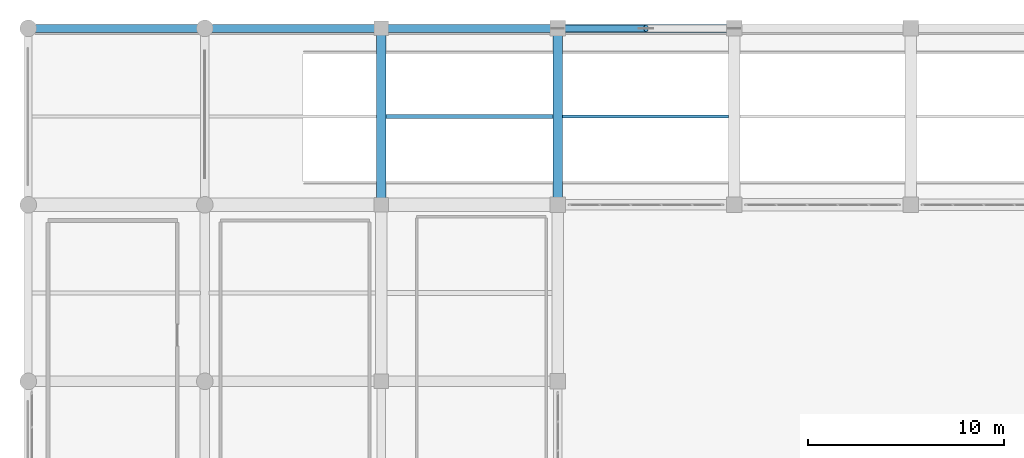
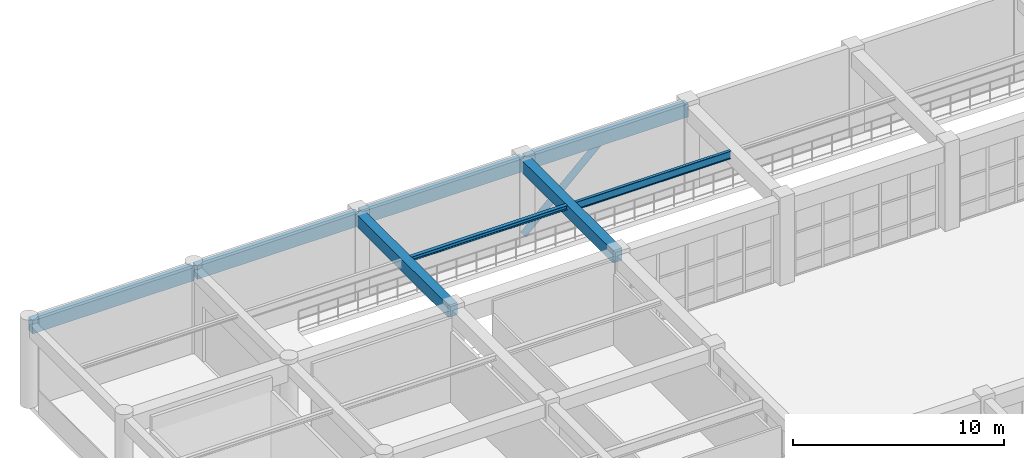
# One storey, part 61 of 128: 8 beams, 1 member.
"""IFC4 building model written with IfcOpenShell, lengths in metres."""

import ifcopenshell
import ifcopenshell.guid

model = None  # the IFC model being written
_history = None  # IfcOwnerHistory: only IFC2X3 demands one
_inside = {}  # id of a spatial element -> (the spatial element, [elements in it])
_under = {}  # id of a project, library or spatial element -> (it, [spatial elements below it])
_declared = {}  # id of a project -> (the project, [libraries it declares])
_typed = {}  # id of a type object -> (the type object, [elements of that type])
_made_of = {}  # id of a material, layer set ... -> (it, [elements and type objects made of it])


def new_model(schema):
    """Start an empty IFC model of exactly this schema.

    Asked for "IFC4X3", IfcOpenShell would pick the latest addendum, in which some entities
    have other attributes; the version numbers below select the first issue.
    IFC2X3 requires an IfcOwnerHistory on every rooted entity: one is made here for all.
    """
    global model, _history
    if schema == "IFC4X3":
        model = ifcopenshell.file(schema_version=(4, 3, 0, 0))
    else:
        model = ifcopenshell.file(schema=schema)
    _inside.clear()
    _under.clear()
    _declared.clear()
    _typed.clear()
    _made_of.clear()
    _history = None
    if model.schema == "IFC2X3":
        org = make("IfcOrganization", Name="unknown")
        user = make(
            "IfcPersonAndOrganization",
            ThePerson=make("IfcPerson", FamilyName="unknown"),
            TheOrganization=org,
        )
        app = make(
            "IfcApplication",
            ApplicationDeveloper=org,
            Version="unknown",
            ApplicationFullName="unknown",
            ApplicationIdentifier="unknown",
        )
        _history = make(
            "IfcOwnerHistory",
            OwningUser=user,
            OwningApplication=app,
            ChangeAction="ADDED",
            CreationDate=0,
        )
    return model


def make(cls, **values):
    """One entity of the class cls with the attributes given. An attribute that is None is left unset."""
    return model.create_entity(
        cls, **{name: value for name, value in values.items() if value is not None}
    )


def rooted(cls, **values):
    """An entity with a GlobalId (a new one), such as an element, a storey or a relation."""
    return make(cls, GlobalId=ifcopenshell.guid.new(), OwnerHistory=_history, **values)


def si_unit(unit_type, name, prefix=None):
    """IfcSIUnit, for example si_unit("LENGTHUNIT", "METRE", prefix="MILLI")."""
    return make("IfcSIUnit", UnitType=unit_type, Prefix=prefix, Name=name)


def assignment(units):
    """IfcUnitAssignment: the units of a project."""
    return None if units is None else make("IfcUnitAssignment", Units=units)


def point(xyz):
    """IfcCartesianPoint."""
    return None if xyz is None else make("IfcCartesianPoint", Coordinates=xyz)


def direction(xyz):
    """IfcDirection."""
    return None if xyz is None else make("IfcDirection", DirectionRatios=xyz)


def frame(location, z_axis=None, x_axis=None):
    """IfcAxis2Placement3D, a coordinate frame: its origin and axes. An axis left out is left unset."""
    return make(
        "IfcAxis2Placement3D",
        Location=point(location),
        Axis=direction(z_axis),
        RefDirection=direction(x_axis),
    )


def frame_2d(location, x_axis=None):
    """IfcAxis2Placement2D, a coordinate frame in the plane: its origin and x axis."""
    return make(
        "IfcAxis2Placement2D", Location=point(location), RefDirection=direction(x_axis)
    )


def origin():
    """The frame at (0, 0, 0) with its axes left unset."""
    return frame((0.0, 0.0, 0.0))


def origin_2d():
    """The frame at (0, 0) in the plane with its x axis left unset."""
    return frame_2d((0.0, 0.0))


def place(relative_to, where):
    """IfcLocalPlacement: puts the frame where relative to a parent placement (None: the world)."""
    return make(
        "IfcLocalPlacement", PlacementRelTo=relative_to, RelativePlacement=where
    )


def context(
    kind, dimensions, precision=None, world=None, true_north=None, identifier=None
):
    """IfcGeometricRepresentationContext, for example the 3D "Model" context."""
    return make(
        "IfcGeometricRepresentationContext",
        ContextIdentifier=identifier,
        ContextType=kind,
        CoordinateSpaceDimension=dimensions,
        Precision=precision,
        WorldCoordinateSystem=world,
        TrueNorth=true_north,
    )


def subcontext(parent, identifier, kind, view, scale=None):
    """IfcGeometricRepresentationSubContext, for example "Body" below "Model"."""
    return make(
        "IfcGeometricRepresentationSubContext",
        ContextIdentifier=identifier,
        ContextType=kind,
        ParentContext=parent,
        TargetScale=scale,
        TargetView=view,
    )


def project(units=None, contexts=None):
    """IfcProject with its units and contexts."""
    return rooted(
        "IfcProject",
        Name="project",
        RepresentationContexts=contexts,
        UnitsInContext=assignment(units),
    )


def spatial(cls, under=None, at=None, **own):
    """A site, building, storey or space (cls), placed at a placement, below another one or the project."""
    s = rooted(cls, ObjectPlacement=at, **own)
    if under is not None:
        _under.setdefault(under.id(), (under, []))[1].append(s)
    return s


def profile(cls, at=None, kind="AREA", **sizes):
    """A parametric profile (cls). Its sizes go by their IFC names, for example OverallWidth=200.0."""
    return make(cls, ProfileType=kind, Position=at, **sizes)


def rectangle(**sizes):
    """IfcRectangleProfileDef."""
    return profile("IfcRectangleProfileDef", **sizes)


def hollow_circle(**sizes):
    """IfcCircleHollowProfileDef."""
    return profile("IfcCircleHollowProfileDef", **sizes)


def i_section(**sizes):
    """IfcIShapeProfileDef."""
    return profile("IfcIShapeProfileDef", **sizes)


def extrude(swept, where, along, depth):
    """IfcExtrudedAreaSolid: the profile swept, set in the frame where, extruded along a direction by depth."""
    return make(
        "IfcExtrudedAreaSolid",
        SweptArea=swept,
        Position=where,
        ExtrudedDirection=direction(along),
        Depth=depth,
    )


def shape(context_of_items, identifier, shape_type, items):
    """IfcShapeRepresentation: the items that make up one representation, for example the "Body"."""
    return make(
        "IfcShapeRepresentation",
        ContextOfItems=context_of_items,
        RepresentationIdentifier=identifier,
        RepresentationType=shape_type,
        Items=items,
    )


def material(Name=None, Category=None):
    """IfcMaterial."""
    return make("IfcMaterial", Name=Name, Category=Category)


def material_profile(
    of_material, cross_section, Name=None, Category=None, Priority=None
):
    """IfcMaterialProfile: a cross section and its material."""
    return make(
        "IfcMaterialProfile",
        Name=Name,
        Material=of_material,
        Profile=cross_section,
        Priority=Priority,
        Category=Category,
    )


def profile_set(profiles, Name=None, composite=None):
    """IfcMaterialProfileSet."""
    return make(
        "IfcMaterialProfileSet",
        Name=Name,
        MaterialProfiles=profiles,
        CompositeProfile=composite,
    )


def made_of(thing, what):
    """Note that an element or type object is made of a material, layer set ...; save() writes the relation."""
    if what is not None:
        _made_of.setdefault(what.id(), (what, []))[1].append(thing)
    return thing


def type_object(cls, material=None, **own):
    """A type object (cls), such as IfcWallType, which elements share."""
    return made_of(rooted(cls, **own), material)


def element(
    cls,
    number,
    at=None,
    inside=None,
    cuts=None,
    type_object=None,
    material=None,
    context=None,
    identifier="Body",
    shape_type=None,
    held_by="IfcProductDefinitionShape",
    body=None,
    shapes=None,
    **own,
):
    """One element of the class cls, such as IfcWall. Its Tag is "e" and its number.

    at: its placement. inside: the storey or other place that contains it. cuts: it is an
    opening in that element (IfcRelVoidsElement). A single representation is given by context,
    identifier, shape_type and body (its items); several are given by shapes. held_by: the class
    of the entity that holds the representations. save() writes the other relations.
    """
    e = rooted(cls, Tag="e%d" % number, ObjectPlacement=at, **own)
    if body is not None:
        shapes = [shape(context, identifier, shape_type, body)]
    if shapes is not None:
        e.Representation = make(held_by, Representations=shapes)
    if inside is not None:
        _inside.setdefault(inside.id(), (inside, []))[1].append(e)
    if cuts is not None:
        rooted(
            "IfcRelVoidsElement", RelatingBuildingElement=cuts, RelatedOpeningElement=e
        )
    if type_object is not None:
        _typed.setdefault(type_object.id(), (type_object, []))[1].append(e)
    return made_of(e, material)


def aggregate(whole, parts):
    """IfcRelAggregates: a whole, such as a stair, and the parts it consists of."""
    return rooted("IfcRelAggregates", RelatingObject=whole, RelatedObjects=parts)


def save(model, path):
    """Write the relations noted so far, then the file.

    IfcRelAggregates (storeys below a building ...), IfcRelContainedInSpatialStructure (elements
    in a storey), IfcRelDefinesByType, IfcRelAssociatesMaterial and IfcRelDeclares: one each for
    every whole, place, type object, material and project.
    """
    for whole, parts in _under.values():
        aggregate(whole, parts)
    for where, things in _inside.values():
        rooted(
            "IfcRelContainedInSpatialStructure",
            RelatedElements=things,
            RelatingStructure=where,
        )
    for kind, things in _typed.values():
        rooted("IfcRelDefinesByType", RelatedObjects=things, RelatingType=kind)
    for what, things in _made_of.values():
        rooted("IfcRelAssociatesMaterial", RelatedObjects=things, RelatingMaterial=what)
    for by, libraries in _declared.values():
        rooted("IfcRelDeclares", RelatingContext=by, RelatedDefinitions=libraries)
    model.write(path)


model = new_model("IFC4")

# Units and contexts
model_context = context("Model", 3, precision=1e-05, world=origin(), true_north=direction((0.0, 1.0)))
body_context = subcontext(model_context, "Body", "Model", "MODEL_VIEW")
ifc_project = project(units=[si_unit("LENGTHUNIT", "METRE"), si_unit("AREAUNIT", "SQUARE_METRE"), si_unit("VOLUMEUNIT", "CUBIC_METRE"), si_unit("PLANEANGLEUNIT", "RADIAN"), si_unit("MASSUNIT", "GRAM", prefix="KILO")], contexts=[model_context])

# Site, building, storey
site_placement = place(None, origin())
site = spatial("IfcSite", under=ifc_project, at=site_placement, CompositionType="ELEMENT")
building_placement = place(site_placement, origin())
building = spatial("IfcBuilding", under=site, at=building_placement, Name="Miravela Opera House", CompositionType="ELEMENT")
storey_placement = place(building_placement, origin())
storey = spatial("IfcBuildingStorey", under=building, at=storey_placement, Name="L00", CompositionType="ELEMENT", Elevation=0.0)

# Beams
ifc_material_1 = material(Name="Concrete C35/45", Category="concrete")
ifc_material_profile_1 = material_profile(ifc_material_1, rectangle(XDim=0.5, YDim=0.699951171875, at=origin_2d()), Name="RC-BM-500X700")
ifc_profile_set_1 = profile_set([ifc_material_profile_1])
beam_type_1 = type_object("IfcBeamType", Name="STR-BM-RC500X700", PredefinedType="BEAM", material=ifc_profile_set_1)
for number, where, z_axis, x_axis, name in (
    (1, (18.0, 103.080078125, 4.5), (0.0, 1.0, 0.0), (-1.0, 0.0, 0.0), "Floor Girder L00 3/L-M"),
    (2, (27.0, 103.080078125, 4.5), (0.0, 1.0, 0.0), (-1.0, 0.0, 0.0), "Floor Girder L00 4/L-M"),
):
    element("IfcBeam", number, at=place(storey_placement, frame(where, z_axis=z_axis, x_axis=x_axis)), inside=storey, type_object=beam_type_1, Name=name, PredefinedType="BEAM", context=body_context, shape_type="SweptSolid", body=[
        extrude(rectangle(XDim=0.5, YDim=0.699951171875, at=origin_2d()), origin(), (0.0, 0.0, 1.0), 8.83984375),
    ])
ifc_material_2 = material(Name="Structural steel ASTM A992 Gr. 50", Category="steel")
ifc_material_profile_2 = material_profile(ifc_material_2, i_section(OverallWidth=0.201904296875, OverallDepth=0.2470703125, WebThickness=0.00732421875, FlangeThickness=0.010986328125, FilletRadius=0.011962890625, at=origin_2d()), Name="W250X49")
ifc_profile_set_2 = profile_set([ifc_material_profile_2])
beam_type_2 = type_object("IfcBeamType", Name="STR-BM-W250X49", PredefinedType="LINTEL", material=ifc_profile_set_2)
beam_1_placement = place(storey_placement, frame((18.235107421875, 107.5, 4.7265625), z_axis=(1.0, 0.0, 0.0), x_axis=(0.0, 1.0, 0.0)))
element("IfcBeam", 3, at=beam_1_placement, inside=storey, type_object=beam_type_2, Name="Secondary Floor Joist L00 3-4/L-M", PredefinedType="LINTEL", context=body_context, shape_type="SweptSolid", body=[
    extrude(i_section(OverallWidth=0.201904296875, OverallDepth=0.2470703125, WebThickness=0.00732421875, FlangeThickness=0.010986328125, FilletRadius=0.011962890625, at=origin_2d()), origin(), (0.0, 0.0, 1.0), 8.52978515625),
])
ifc_material_profile_3 = material_profile(ifc_material_2, i_section(OverallWidth=0.154052734375, OverallDepth=0.458984375, WebThickness=0.009033203125, FlangeThickness=0.015380859375, FilletRadius=0.013916015625, at=origin_2d()), Name="W460X68")
ifc_profile_set_3 = profile_set([ifc_material_profile_3])
beam_type_3 = type_object("IfcBeamType", Name="STR-BM-W460X68", PredefinedType="JOIST", material=ifc_profile_set_3)
beam_2_placement = place(storey_placement, frame((27.235107421875, 107.5, 4.62060546875), z_axis=(1.0, 0.0, 0.0), x_axis=(0.0, 1.0, 0.0)))
element("IfcBeam", 4, at=beam_2_placement, inside=storey, type_object=beam_type_3, Name="Secondary Floor Joist L00 4-5/L-M", PredefinedType="JOIST", context=body_context, shape_type="SweptSolid", body=[
    extrude(i_section(OverallWidth=0.154052734375, OverallDepth=0.458984375, WebThickness=0.009033203125, FlangeThickness=0.015380859375, FilletRadius=0.013916015625, at=origin_2d()), origin(), (0.0, 0.0, 1.0), 8.47998046875),
])

# Member
ifc_material_3 = material(Name="Hollow structural steel ASTM A500 Gr. C", Category="steel")
ifc_material_profile_4 = material_profile(ifc_material_3, hollow_circle(Radius=0.177734375, WallThickness=0.011962890625, at=origin_2d()), Name="CHS356X12")
ifc_profile_set_4 = profile_set([ifc_material_profile_4])
member_type = type_object("IfcMemberType", Name="STR-MEM-BRACE-CHS356", PredefinedType="BRACE", material=ifc_profile_set_4)
member_placement = place(storey_placement, frame((27.0, 112.0, 0.300048828125), z_axis=(0.73105922506, 0.0, 0.682314010889), x_axis=(0.0, 1.0, 0.0)))
element("IfcMember", 5, at=member_placement, inside=storey, type_object=member_type, Name="Concentric Braced Frame BF-N1 L00 Left Brace", PredefinedType="BRACE", context=body_context, shape_type="SweptSolid", body=[
    extrude(hollow_circle(Radius=0.177734375, WallThickness=0.011962890625, at=origin_2d()), origin(), (0.0, 0.0, 1.0), 6.155517578125),
])

# Beams
ifc_material_profile_5 = material_profile(ifc_material_1, rectangle(XDim=0.39990234375, YDim=0.75, at=origin_2d()), Name="RC-SPN-400X750")
ifc_profile_set_5 = profile_set([ifc_material_profile_5])
beam_type_4 = type_object("IfcBeamType", Name="STR-SPN-RC400X750", PredefinedType="SPANDREL", material=ifc_profile_set_5)
for number, where, z_axis, x_axis, name in (
    (6, (0.080078125, 112.0, 4.47509765625), (1.0, 0.0, 0.0), (0.0, 1.0, 0.0), "Floor Girder L00 1-2/M"),
    (7, (9.080078125, 112.0, 4.47509765625), (1.0, 0.0, 0.0), (0.0, 1.0, 0.0), "Floor Girder L00 2-3/M"),
    (8, (18.080078125, 112.0, 4.47509765625), (1.0, 0.0, 0.0), (0.0, 1.0, 0.0), "Floor Girder L00 3-4/M"),
    (9, (27.080078125, 112.0, 4.47509765625), (1.0, 0.0, 0.0), (0.0, 1.0, 0.0), "Floor Girder L00 4-5/M"),
):
    element("IfcBeam", number, at=place(storey_placement, frame(where, z_axis=z_axis, x_axis=x_axis)), inside=storey, type_object=beam_type_4, Name=name, PredefinedType="SPANDREL", context=body_context, shape_type="SweptSolid", body=[
        extrude(rectangle(XDim=0.39990234375, YDim=0.75, at=origin_2d()), origin(), (0.0, 0.0, 1.0), 8.83984375),
    ])

save(model, "model.ifc")
